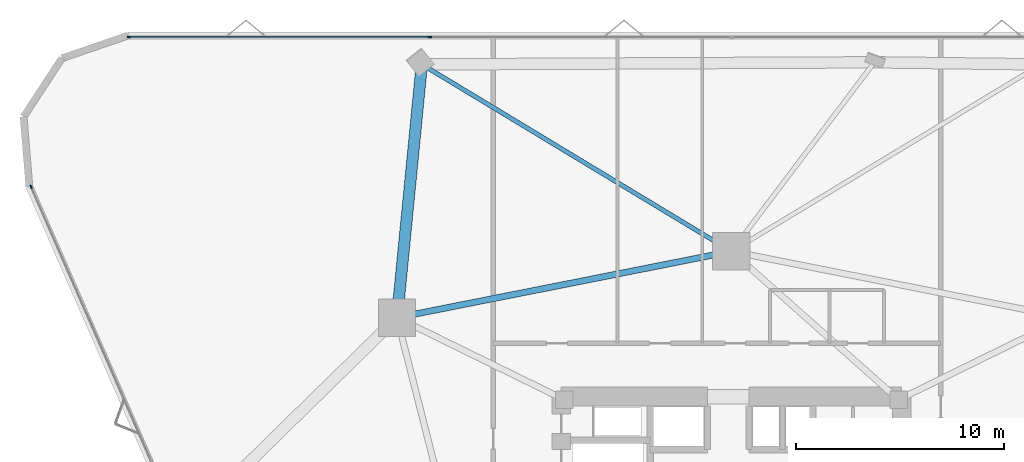
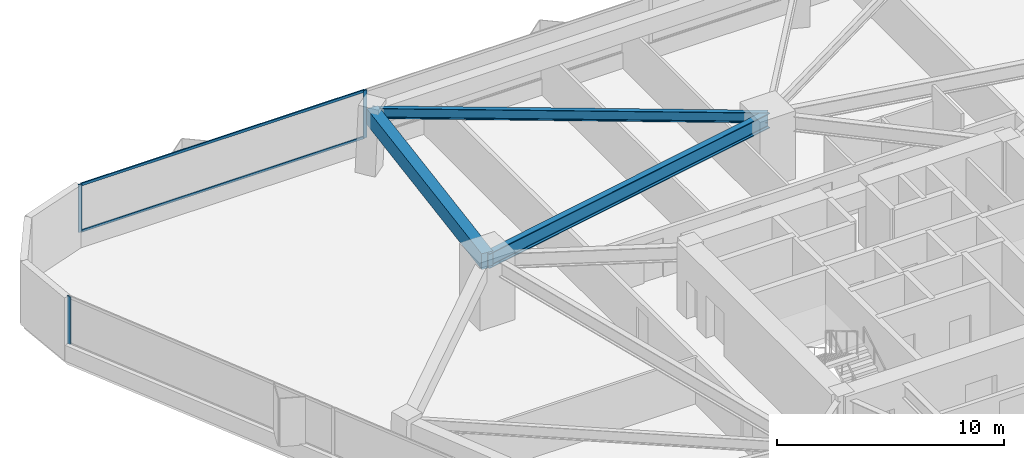
# One storey, part 11 of 20: 5 members, 3 beams, 2 elements without a shape of their own.
"""IFC4 building model written with IfcOpenShell, lengths in metres."""

from ifc_helpers import new_model, si_unit, direction, frame, origin, origin_2d, place, context, subcontext, project, spatial, rectangle, i_section, extrude, material, layer, layer_set, material_profile, profile_set, type_object, element, aggregate, save


model = new_model("IFC4")

# Units and contexts
model_context = context("Model", 3, precision=1e-05, world=origin(), true_north=direction((0.0, 1.0)))
body_context = subcontext(model_context, "Body", "Model", "MODEL_VIEW")
ifc_project = project(units=[si_unit("LENGTHUNIT", "METRE"), si_unit("AREAUNIT", "SQUARE_METRE"), si_unit("VOLUMEUNIT", "CUBIC_METRE"), si_unit("PLANEANGLEUNIT", "RADIAN"), si_unit("MASSUNIT", "GRAM", prefix="KILO")], contexts=[model_context])

# Site, building, storey
site_placement = place(None, origin())
site = spatial("IfcSite", under=ifc_project, at=site_placement, CompositionType="ELEMENT")
building_placement = place(site_placement, origin())
building = spatial("IfcBuilding", under=site, at=building_placement, Name="Talyreon Biosciences Tower", CompositionType="ELEMENT")
storey_placement = place(building_placement, frame((0.0, 0.0, 41.050048828125)))
storey = spatial("IfcBuildingStorey", under=building, at=storey_placement, Name="L10", CompositionType="ELEMENT", Elevation=41.050048828125)

# Curtain wall, member
ifc_material_1 = material(Name="Thermally broken aluminium and low-E glazing", Category="aluminium")
ifc_layer = layer(ifc_material_1, 0.195068359375)
ifc_layer_set = layer_set([ifc_layer], Name="Thermally broken aluminium and low-E glazing")
curtain_wall_type = type_object("IfcCurtainWallType", Name="CurtainWall_Zone1WetLab", PredefinedType="NOTDEFINED", material=ifc_layer_set)
curtain_wall_1_placement = place(storey_placement, origin())
curtain_wall_1 = element("IfcCurtainWall", 1, at=curtain_wall_1_placement, inside=storey, type_object=curtain_wall_type, Name="L10 Unitised Curtain Wall FCW-L10-00", PredefinedType="NOTDEFINED")
ifc_material_2 = material(Name="Anodised thermally broken aluminium", Category="aluminium")
ifc_material_profile_1 = material_profile(ifc_material_2, rectangle(XDim=0.06494140625, YDim=0.179931640625, at=origin_2d()), Name="ALUM MULLION 65x180")
ifc_profile_set_1 = profile_set([ifc_material_profile_1], Name="Anodised thermally broken aluminium")
member_type_1 = type_object("IfcMemberType", Name="CWMullion_65x180", PredefinedType="MULLION", material=ifc_profile_set_1)
member_1_placement = place(storey_placement, frame((32.277099609375, 84.9033203125, 0.81005859375), z_axis=(0.0, 0.0, 1.0), x_axis=(-0.915980408101, -0.401222995321, 0.0)))
member_1 = element("IfcMember", 2, at=member_1_placement, type_object=member_type_1, Name="CW2 mullion 6", PredefinedType="MULLION", context=body_context, shape_type="SweptSolid", body=[
    extrude(rectangle(XDim=0.06494140625, YDim=0.179931640625, at=origin_2d()), origin(), (0.0, 0.0, 1.0), 2.56494140625),
])
aggregate(curtain_wall_1, [member_1])

# Curtain wall, members
curtain_wall_2_placement = place(storey_placement, origin())
curtain_wall_2 = element("IfcCurtainWall", 3, at=curtain_wall_2_placement, inside=storey, type_object=curtain_wall_type, Name="L10 Unitised Curtain Wall FCW-L10-04", PredefinedType="NOTDEFINED")
member_2_placement = place(storey_placement, frame((36.986328125, 92.107421875, 0.81005859375), z_axis=(0.0, 0.0, 1.0), x_axis=(0.0, 1.0, 0.0)))
member_2 = element("IfcMember", 4, at=member_2_placement, type_object=member_type_1, Name="CW2 mullion 1", PredefinedType="MULLION", context=body_context, shape_type="SweptSolid", body=[
    extrude(rectangle(XDim=0.06494140625, YDim=0.179931640625, at=origin_2d()), origin(), (0.0, 0.0, 1.0), 2.56494140625),
])
member_3_placement = place(storey_placement, frame((51.47705078125, 92.107421875, 0.81005859375), z_axis=(0.0, 0.0, 1.0), x_axis=(0.0, 1.0, 0.0)))
member_3 = element("IfcMember", 5, at=member_3_placement, type_object=member_type_1, Name="CW2 mullion 2", PredefinedType="MULLION", context=body_context, shape_type="SweptSolid", body=[
    extrude(rectangle(XDim=0.06494140625, YDim=0.179931640625, at=origin_2d()), origin(), (0.0, 0.0, 1.0), 2.56494140625),
])
ifc_material_profile_2 = material_profile(ifc_material_2, rectangle(XDim=0.06494140625, YDim=0.139892578125, at=origin_2d()), Name="ALUM TRANSOM 65x140")
ifc_profile_set_2 = profile_set([ifc_material_profile_2], Name="Anodised thermally broken aluminium")
member_type_2 = type_object("IfcMemberType", Name="CWTransom_65x140", PredefinedType="USERDEFINED", material=ifc_profile_set_2)
member_4_placement = place(storey_placement, frame((37.018798828125, 92.107421875, 0.842529296875), z_axis=(1.0, 0.0, 0.0), x_axis=(0.0, 1.0, 0.0)))
member_4 = element("IfcMember", 6, at=member_4_placement, type_object=member_type_2, Name="CW2 transom 1.1", ObjectType="TRANSOM", PredefinedType="USERDEFINED", context=body_context, shape_type="SweptSolid", body=[
    extrude(rectangle(XDim=0.06494140625, YDim=0.139892578125, at=origin_2d()), origin(), (0.0, 0.0, 1.0), 14.425537109375),
])
member_5_placement = place(storey_placement, frame((37.018798828125, 92.107421875, 3.342529296875), z_axis=(1.0, 0.0, 0.0), x_axis=(0.0, 1.0, 0.0)))
member_5 = element("IfcMember", 7, at=member_5_placement, type_object=member_type_2, Name="CW2 transom 1.2", ObjectType="TRANSOM", PredefinedType="USERDEFINED", context=body_context, shape_type="SweptSolid", body=[
    extrude(rectangle(XDim=0.06494140625, YDim=0.139892578125, at=origin_2d()), origin(), (0.0, 0.0, 1.0), 14.425537109375),
])
aggregate(curtain_wall_2, [member_2, member_3, member_4, member_5])

# Beams
ifc_material_3 = material(Name="Precast concrete C45/55", Category="concrete")
ifc_material_profile_3 = material_profile(ifc_material_3, rectangle(XDim=0.550048828125, YDim=0.85009765625, at=origin_2d()), Name="RCB 550x850")
ifc_profile_set_3 = profile_set([ifc_material_profile_3], Name="Precast concrete C45/55")
beam_type_1 = type_object("IfcBeamType", Name="ExpressedSpandrel_550x850", PredefinedType="SPANDREL", material=ifc_profile_set_3)
beam_1_placement = place(storey_placement, frame((51.092041015625, 90.79296875, 2.949951171875), z_axis=(-0.097475453477, -0.995237929326, 0.0), x_axis=(0.995237929326, -0.097475453477, 0.0)))
element("IfcBeam", 8, at=beam_1_placement, inside=storey, type_object=beam_type_1, Name="L10 Expressed Horizontal Concrete Spandrel 08", PredefinedType="SPANDREL", context=body_context, shape_type="SweptSolid", body=[
    extrude(rectangle(XDim=0.550048828125, YDim=0.85009765625, at=origin_2d()), origin(), (0.0, 0.0, 1.0), 12.252685546875),
])
ifc_material_4 = material(Name="Steel SM355", Category="steel")
ifc_material_profile_4 = material_profile(ifc_material_4, i_section(OverallWidth=0.300048828125, OverallDepth=0.800048828125, WebThickness=0.017578125, FlangeThickness=0.032958984375, FilletRadius=0.030029296875, at=origin_2d()), Name="HE800B")
ifc_profile_set_4 = profile_set([ifc_material_profile_4], Name="Steel SM355")
beam_type_2 = type_object("IfcBeamType", Name="SteelGirder_HE800B", PredefinedType="BEAM", material=ifc_profile_set_4)
beam_2_placement = place(storey_placement, frame((66.0, 81.788818359375, 2.974853515625), z_axis=(-0.980933730698, -0.194342522311, 0.0), x_axis=(0.194342522311, -0.980933730698, 0.0)))
element("IfcBeam", 9, at=beam_2_placement, inside=storey, type_object=beam_type_2, Name="L10 Mega-Ring Girder 4", PredefinedType="BEAM", context=body_context, shape_type="SweptSolid", body=[
    extrude(i_section(OverallWidth=0.300048828125, OverallDepth=0.800048828125, WebThickness=0.017578125, FlangeThickness=0.032958984375, FilletRadius=0.030029296875, at=origin_2d()), origin(), (0.0, 0.0, 1.0), 16.415283203125),
])
ifc_material_profile_5 = material_profile(ifc_material_4, i_section(OverallWidth=0.2099609375, OverallDepth=0.550048828125, WebThickness=0.010986328125, FlangeThickness=0.01708984375, FilletRadius=0.02392578125, at=origin_2d()), Name="IPE550")
ifc_profile_set_5 = profile_set([ifc_material_profile_5], Name="Steel SM355")
beam_type_3 = type_object("IfcBeamType", Name="SteelJoist_IPE550", PredefinedType="JOIST", material=ifc_profile_set_5)
beam_3_placement = place(storey_placement, frame((66.0, 81.788818359375, 3.099853515625), z_axis=(-0.855985205529, 0.517000317133, 0.0), x_axis=(-0.517000317133, -0.855985205529, 0.0)))
element("IfcBeam", 10, at=beam_3_placement, inside=storey, type_object=beam_type_3, Name="L10 Radial Composite Floor Joist PC-N2", PredefinedType="JOIST", context=body_context, shape_type="SweptSolid", body=[
    extrude(i_section(OverallWidth=0.2099609375, OverallDepth=0.550048828125, WebThickness=0.010986328125, FlangeThickness=0.01708984375, FilletRadius=0.02392578125, at=origin_2d()), origin(), (0.0, 0.0, 1.0), 17.416259765625),
])

save(model, "model.ifc")
